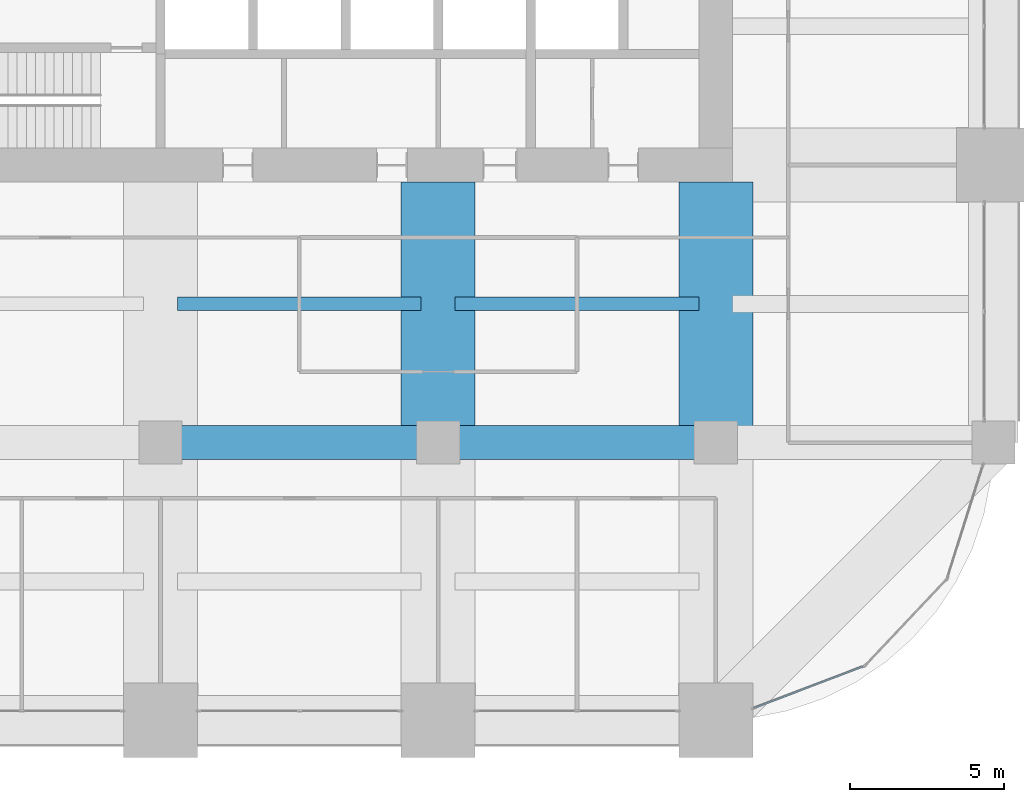
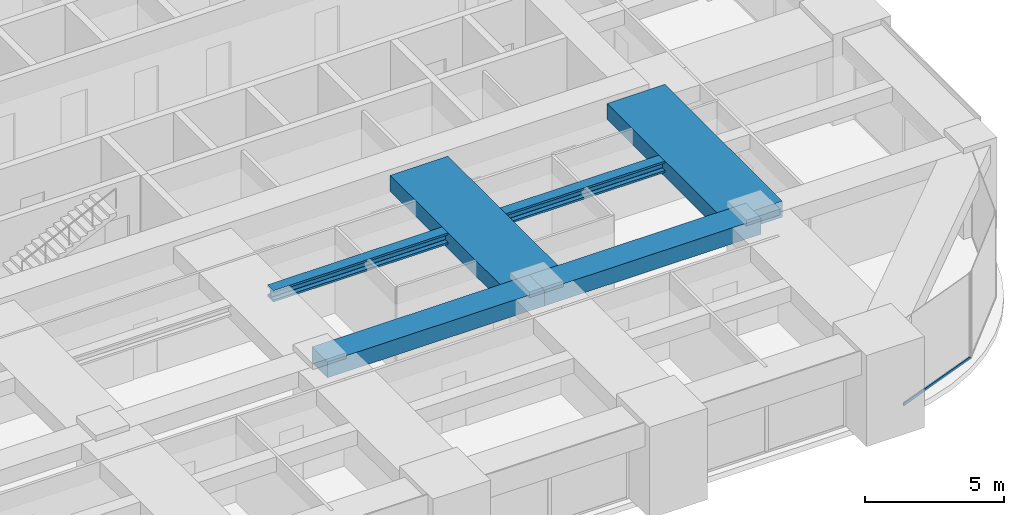
# One storey, part 15 of 35: 6 beams, 1 member, 1 element without a shape of its own.
"""IFC4 building model written with IfcOpenShell, lengths in metres."""

from ifc_helpers import new_model, si_unit, direction, frame, origin, origin_2d, place, context, subcontext, project, spatial, rectangle, hollow_rectangle, i_section, extrude, material, material_profile, profile_set, type_object, element, aggregate, save


model = new_model("IFC4")

# Units and contexts
model_context = context("Model", 3, precision=1e-05, world=origin(), true_north=direction((0.0, 1.0)))
body_context = subcontext(model_context, "Body", "Model", "MODEL_VIEW")
ifc_project = project(units=[si_unit("LENGTHUNIT", "METRE"), si_unit("AREAUNIT", "SQUARE_METRE"), si_unit("VOLUMEUNIT", "CUBIC_METRE"), si_unit("PLANEANGLEUNIT", "RADIAN"), si_unit("MASSUNIT", "GRAM", prefix="KILO")], contexts=[model_context])

# Site, building, storey
site_placement = place(None, origin())
site = spatial("IfcSite", under=ifc_project, at=site_placement, CompositionType="ELEMENT")
building_placement = place(site_placement, origin())
building = spatial("IfcBuilding", under=site, at=building_placement, Name="Zorevar Civic Tower", CompositionType="ELEMENT")
storey_placement = place(building_placement, frame((0.0, 0.0, 218.199951171875)))
storey = spatial("IfcBuildingStorey", under=building, at=storey_placement, Name="L53", CompositionType="ELEMENT", Elevation=218.199951171875)

# Beams
ifc_material_1 = material(Name="Concrete C50/60", Category="concrete")
ifc_material_profile_1 = material_profile(ifc_material_1, rectangle(XDim=1.10009765625, YDim=0.699951171875, at=origin_2d()), Name="RC 1100x700")
ifc_profile_set_1 = profile_set([ifc_material_profile_1], Name="Concrete C50/60")
beam_type_1 = type_object("IfcBeamType", Name="Beam RC 1100x700", PredefinedType="BEAM", material=ifc_profile_set_1)
for number, where, z_axis, x_axis, name in (
    (1, (27.0, 9.0, 3.400146484375), (1.0, 0.0, 0.0), (0.0, 1.0, 0.0), "Girder L54"),
    (2, (36.0, 9.0, 3.400146484375), (1.0, 0.0, 0.0), (0.0, 1.0, 0.0), "Girder L54"),
):
    element("IfcBeam", number, at=place(storey_placement, frame(where, z_axis=z_axis, x_axis=x_axis)), inside=storey, type_object=beam_type_1, Name=name, PredefinedType="BEAM", context=body_context, shape_type="SweptSolid", body=[
        extrude(rectangle(XDim=1.10009765625, YDim=0.699951171875, at=origin_2d()), origin(), (0.0, 0.0, 1.0), 9.0),
    ])
ifc_material_2 = material(Name="Concrete C50/60", Category="concrete")
ifc_material_profile_2 = material_profile(ifc_material_2, rectangle(XDim=2.39990234375, YDim=0.699951171875, at=origin_2d()), Name="RC 2400x700")
ifc_profile_set_2 = profile_set([ifc_material_profile_2], Name="Concrete C50/60")
beam_type_2 = type_object("IfcBeamType", Name="Beam RC 2400x700", PredefinedType="BEAM", material=ifc_profile_set_2)
for number, where, z_axis, x_axis, name in (
    (3, (36.0, 9.0, 3.400146484375), (0.0, 1.0, 0.0), (-1.0, 0.0, 0.0), "Girder L54"),
    (4, (45.0, 9.0, 3.400146484375), (0.0, 1.0, 0.0), (-1.0, 0.0, 0.0), "Girder L54"),
):
    element("IfcBeam", number, at=place(storey_placement, frame(where, z_axis=z_axis, x_axis=x_axis)), inside=storey, type_object=beam_type_2, Name=name, PredefinedType="BEAM", context=body_context, shape_type="SweptSolid", body=[
        extrude(rectangle(XDim=2.39990234375, YDim=0.699951171875, at=origin_2d()), origin(), (0.0, 0.0, 1.0), 8.449951171875),
    ])

# Curtain wall, member
ifc_material_3 = material(Name="Dark grey solar-control glass in black aluminium frame", Category="aluminium")
curtain_wall_type = type_object("IfcCurtainWallType", Name="Curtain wall CW4 high zone", PredefinedType="NOTDEFINED", material=ifc_material_3)
curtain_wall_placement = place(storey_placement, origin())
curtain_wall = element("IfcCurtainWall", 5, at=curtain_wall_placement, inside=storey, type_object=curtain_wall_type, Name="CW4 L53", PredefinedType="NOTDEFINED")
ifc_material_4 = material(Name="Aluminium, black anodised", Category="aluminium")
ifc_material_profile_3 = material_profile(ifc_material_4, hollow_rectangle(XDim=0.06005859375, YDim=0.1201171875, WallThickness=0.0029296875, at=origin_2d()), Name="AL 120x60x3")
ifc_profile_set_3 = profile_set([ifc_material_profile_3], Name="Aluminium, black anodised")
member_type = type_object("IfcMemberType", Name="CW4 transom AL 120x60x3", PredefinedType="USERDEFINED", material=ifc_profile_set_3)
member_placement = place(storey_placement, frame((46.256103515625, 0.404541015625, 0.030029296875), z_axis=(0.934589335576, 0.355728511406, 0.0), x_axis=(-0.355728511406, 0.934589335576, 0.0)))
member = element("IfcMember", 6, at=member_placement, type_object=member_type, Name="CW4 sill transom", ObjectType="TRANSOM", PredefinedType="USERDEFINED", context=body_context, shape_type="SweptSolid", body=[
    extrude(hollow_rectangle(XDim=0.06005859375, YDim=0.1201171875, WallThickness=0.0029296875, at=origin_2d()), origin(), (0.0, 0.0, 1.0), 3.76708984375),
])
aggregate(curtain_wall, [member])

# Beams
ifc_material_5 = material(Name="Steel S460M (HISTAR 460)", Category="steel")
ifc_material_profile_4 = material_profile(ifc_material_5, i_section(OverallWidth=0.431884765625, OverallDepth=0.498046875, WebThickness=0.0556640625, FlangeThickness=0.0888671875, FilletRadius=0.014892578125, at=origin_2d()), Name="HD 400x744")
ifc_profile_set_4 = profile_set([ifc_material_profile_4], Name="Steel S460M (HISTAR 460)")
beam_type_3 = type_object("IfcBeamType", Name="Core bay beam HD 400x744", PredefinedType="BEAM", material=ifc_profile_set_4)
for number, where, z_axis, x_axis, name in (
    (7, (27.550048828125, 13.5, 3.5009765625), (1.0, 0.0, 0.0), (0.0, 1.0, 0.0), "Secondary beam L54"),
    (8, (36.550048828125, 13.5, 3.5009765625), (1.0, 0.0, 0.0), (0.0, 1.0, 0.0), "Secondary beam L54"),
):
    element("IfcBeam", number, at=place(storey_placement, frame(where, z_axis=z_axis, x_axis=x_axis)), inside=storey, type_object=beam_type_3, Name=name, PredefinedType="BEAM", context=body_context, shape_type="SweptSolid", body=[
        extrude(i_section(OverallWidth=0.431884765625, OverallDepth=0.498046875, WebThickness=0.0556640625, FlangeThickness=0.0888671875, FilletRadius=0.014892578125, at=origin_2d()), origin(), (0.0, 0.0, 1.0), 7.89990234375),
    ])

save(model, "model.ifc")
